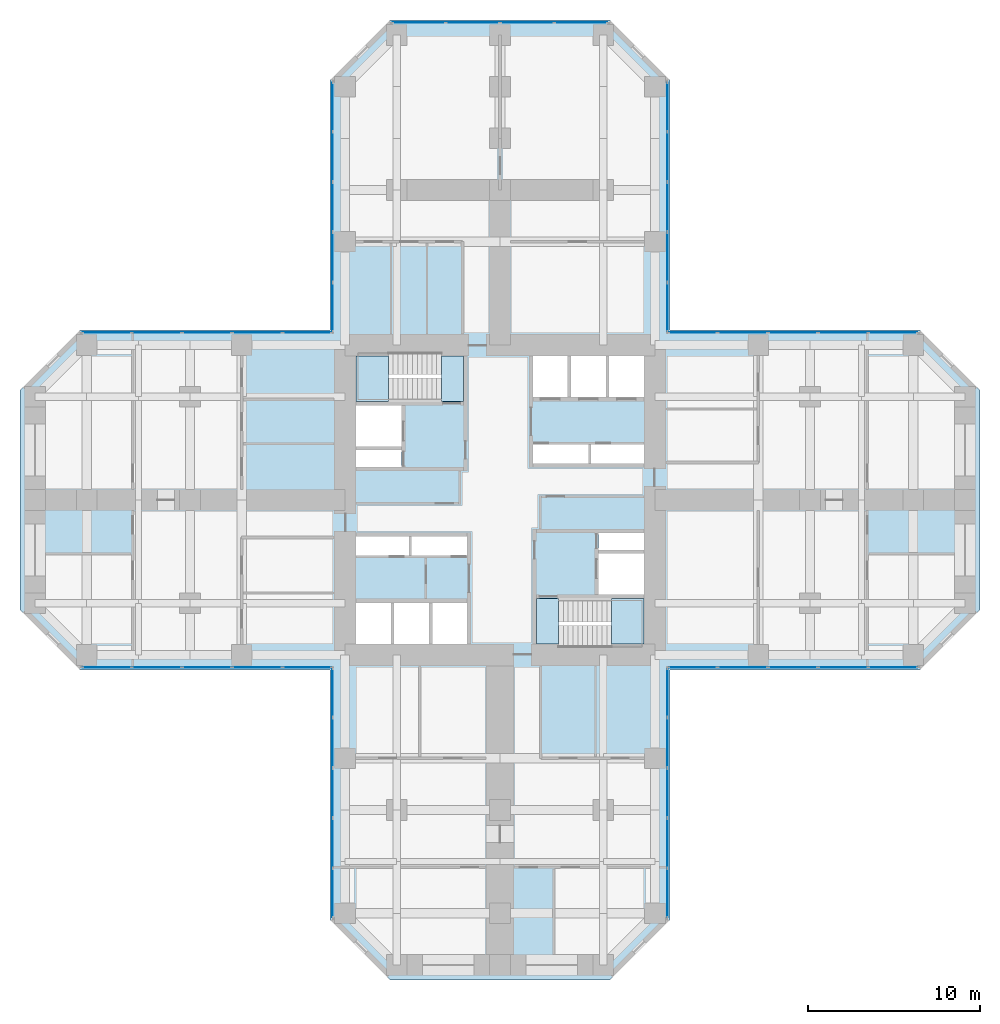
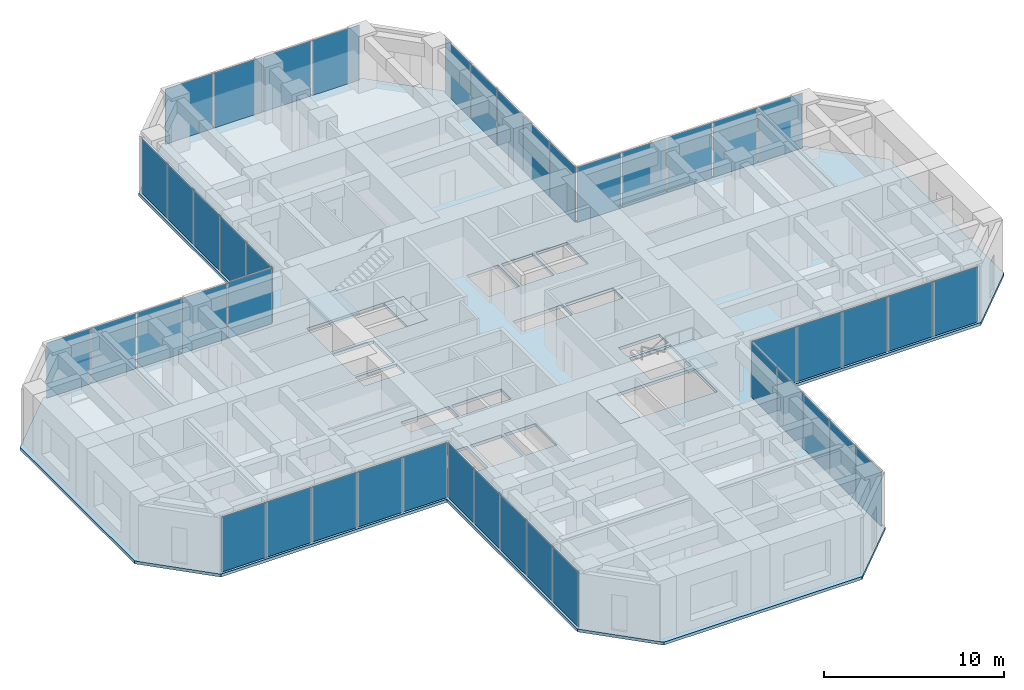
# One storey, part 7 of 13: 44 plates, 5 slabs, 11 elements without a shape of their own.
"""IFC4 building model written with IfcOpenShell, lengths in metres."""

import ifcopenshell
import ifcopenshell.guid

model = None  # the IFC model being written
_history = None  # IfcOwnerHistory: only IFC2X3 demands one
_inside = {}  # id of a spatial element -> (the spatial element, [elements in it])
_under = {}  # id of a project, library or spatial element -> (it, [spatial elements below it])
_declared = {}  # id of a project -> (the project, [libraries it declares])
_typed = {}  # id of a type object -> (the type object, [elements of that type])
_made_of = {}  # id of a material, layer set ... -> (it, [elements and type objects made of it])


def new_model(schema):
    """Start an empty IFC model of exactly this schema.

    Asked for "IFC4X3", IfcOpenShell would pick the latest addendum, in which some entities
    have other attributes; the version numbers below select the first issue.
    IFC2X3 requires an IfcOwnerHistory on every rooted entity: one is made here for all.
    """
    global model, _history
    if schema == "IFC4X3":
        model = ifcopenshell.file(schema_version=(4, 3, 0, 0))
    else:
        model = ifcopenshell.file(schema=schema)
    _inside.clear()
    _under.clear()
    _declared.clear()
    _typed.clear()
    _made_of.clear()
    _history = None
    if model.schema == "IFC2X3":
        org = make("IfcOrganization", Name="unknown")
        user = make(
            "IfcPersonAndOrganization",
            ThePerson=make("IfcPerson", FamilyName="unknown"),
            TheOrganization=org,
        )
        app = make(
            "IfcApplication",
            ApplicationDeveloper=org,
            Version="unknown",
            ApplicationFullName="unknown",
            ApplicationIdentifier="unknown",
        )
        _history = make(
            "IfcOwnerHistory",
            OwningUser=user,
            OwningApplication=app,
            ChangeAction="ADDED",
            CreationDate=0,
        )
    return model


def make(cls, **values):
    """One entity of the class cls with the attributes given. An attribute that is None is left unset."""
    return model.create_entity(
        cls, **{name: value for name, value in values.items() if value is not None}
    )


def rooted(cls, **values):
    """An entity with a GlobalId (a new one), such as an element, a storey or a relation."""
    return make(cls, GlobalId=ifcopenshell.guid.new(), OwnerHistory=_history, **values)


def si_unit(unit_type, name, prefix=None):
    """IfcSIUnit, for example si_unit("LENGTHUNIT", "METRE", prefix="MILLI")."""
    return make("IfcSIUnit", UnitType=unit_type, Prefix=prefix, Name=name)


def assignment(units):
    """IfcUnitAssignment: the units of a project."""
    return None if units is None else make("IfcUnitAssignment", Units=units)


def point(xyz):
    """IfcCartesianPoint."""
    return None if xyz is None else make("IfcCartesianPoint", Coordinates=xyz)


def direction(xyz):
    """IfcDirection."""
    return None if xyz is None else make("IfcDirection", DirectionRatios=xyz)


def frame(location, z_axis=None, x_axis=None):
    """IfcAxis2Placement3D, a coordinate frame: its origin and axes. An axis left out is left unset."""
    return make(
        "IfcAxis2Placement3D",
        Location=point(location),
        Axis=direction(z_axis),
        RefDirection=direction(x_axis),
    )


def frame_2d(location, x_axis=None):
    """IfcAxis2Placement2D, a coordinate frame in the plane: its origin and x axis."""
    return make(
        "IfcAxis2Placement2D", Location=point(location), RefDirection=direction(x_axis)
    )


def origin():
    """The frame at (0, 0, 0) with its axes left unset."""
    return frame((0.0, 0.0, 0.0))


def origin_2d():
    """The frame at (0, 0) in the plane with its x axis left unset."""
    return frame_2d((0.0, 0.0))


def place(relative_to, where):
    """IfcLocalPlacement: puts the frame where relative to a parent placement (None: the world)."""
    return make(
        "IfcLocalPlacement", PlacementRelTo=relative_to, RelativePlacement=where
    )


def context(
    kind, dimensions, precision=None, world=None, true_north=None, identifier=None
):
    """IfcGeometricRepresentationContext, for example the 3D "Model" context."""
    return make(
        "IfcGeometricRepresentationContext",
        ContextIdentifier=identifier,
        ContextType=kind,
        CoordinateSpaceDimension=dimensions,
        Precision=precision,
        WorldCoordinateSystem=world,
        TrueNorth=true_north,
    )


def subcontext(parent, identifier, kind, view, scale=None):
    """IfcGeometricRepresentationSubContext, for example "Body" below "Model"."""
    return make(
        "IfcGeometricRepresentationSubContext",
        ContextIdentifier=identifier,
        ContextType=kind,
        ParentContext=parent,
        TargetScale=scale,
        TargetView=view,
    )


def project(units=None, contexts=None):
    """IfcProject with its units and contexts."""
    return rooted(
        "IfcProject",
        Name="project",
        RepresentationContexts=contexts,
        UnitsInContext=assignment(units),
    )


def spatial(cls, under=None, at=None, **own):
    """A site, building, storey or space (cls), placed at a placement, below another one or the project."""
    s = rooted(cls, ObjectPlacement=at, **own)
    if under is not None:
        _under.setdefault(under.id(), (under, []))[1].append(s)
    return s


def polyline(points):
    """IfcPolyline through the points."""
    return make("IfcPolyline", Points=[point(p) for p in points])


def profile(cls, at=None, kind="AREA", **sizes):
    """A parametric profile (cls). Its sizes go by their IFC names, for example OverallWidth=200.0."""
    return make(cls, ProfileType=kind, Position=at, **sizes)


def rectangle(**sizes):
    """IfcRectangleProfileDef."""
    return profile("IfcRectangleProfileDef", **sizes)


def outline(outer, holes=None, kind="AREA"):
    """IfcArbitraryClosedProfileDef: a profile drawn as a closed curve; with holes, ...WithVoids."""
    if holes is None:
        return make("IfcArbitraryClosedProfileDef", ProfileType=kind, OuterCurve=outer)
    return make(
        "IfcArbitraryProfileDefWithVoids",
        ProfileType=kind,
        OuterCurve=outer,
        InnerCurves=holes,
    )


def extrude(swept, where, along, depth):
    """IfcExtrudedAreaSolid: the profile swept, set in the frame where, extruded along a direction by depth."""
    return make(
        "IfcExtrudedAreaSolid",
        SweptArea=swept,
        Position=where,
        ExtrudedDirection=direction(along),
        Depth=depth,
    )


def shape(context_of_items, identifier, shape_type, items):
    """IfcShapeRepresentation: the items that make up one representation, for example the "Body"."""
    return make(
        "IfcShapeRepresentation",
        ContextOfItems=context_of_items,
        RepresentationIdentifier=identifier,
        RepresentationType=shape_type,
        Items=items,
    )


def material(Name=None, Category=None):
    """IfcMaterial."""
    return make("IfcMaterial", Name=Name, Category=Category)


def layer(
    of_material, thickness, ventilated=None, Name=None, Category=None, Priority=None
):
    """IfcMaterialLayer: one layer of a wall or slab, of a material (None: an air gap)."""
    return make(
        "IfcMaterialLayer",
        Material=of_material,
        LayerThickness=thickness,
        IsVentilated=ventilated,
        Name=Name,
        Category=Category,
        Priority=Priority,
    )


def layer_set(layers, Name=None):
    """IfcMaterialLayerSet."""
    return make("IfcMaterialLayerSet", MaterialLayers=layers, LayerSetName=Name)


def made_of(thing, what):
    """Note that an element or type object is made of a material, layer set ...; save() writes the relation."""
    if what is not None:
        _made_of.setdefault(what.id(), (what, []))[1].append(thing)
    return thing


def type_object(cls, material=None, **own):
    """A type object (cls), such as IfcWallType, which elements share."""
    return made_of(rooted(cls, **own), material)


def element(
    cls,
    number,
    at=None,
    inside=None,
    cuts=None,
    type_object=None,
    material=None,
    context=None,
    identifier="Body",
    shape_type=None,
    held_by="IfcProductDefinitionShape",
    body=None,
    shapes=None,
    **own,
):
    """One element of the class cls, such as IfcWall. Its Tag is "e" and its number.

    at: its placement. inside: the storey or other place that contains it. cuts: it is an
    opening in that element (IfcRelVoidsElement). A single representation is given by context,
    identifier, shape_type and body (its items); several are given by shapes. held_by: the class
    of the entity that holds the representations. save() writes the other relations.
    """
    e = rooted(cls, Tag="e%d" % number, ObjectPlacement=at, **own)
    if body is not None:
        shapes = [shape(context, identifier, shape_type, body)]
    if shapes is not None:
        e.Representation = make(held_by, Representations=shapes)
    if inside is not None:
        _inside.setdefault(inside.id(), (inside, []))[1].append(e)
    if cuts is not None:
        rooted(
            "IfcRelVoidsElement", RelatingBuildingElement=cuts, RelatedOpeningElement=e
        )
    if type_object is not None:
        _typed.setdefault(type_object.id(), (type_object, []))[1].append(e)
    return made_of(e, material)


def aggregate(whole, parts):
    """IfcRelAggregates: a whole, such as a stair, and the parts it consists of."""
    return rooted("IfcRelAggregates", RelatingObject=whole, RelatedObjects=parts)


def save(model, path):
    """Write the relations noted so far, then the file.

    IfcRelAggregates (storeys below a building ...), IfcRelContainedInSpatialStructure (elements
    in a storey), IfcRelDefinesByType, IfcRelAssociatesMaterial and IfcRelDeclares: one each for
    every whole, place, type object, material and project.
    """
    for whole, parts in _under.values():
        aggregate(whole, parts)
    for where, things in _inside.values():
        rooted(
            "IfcRelContainedInSpatialStructure",
            RelatedElements=things,
            RelatingStructure=where,
        )
    for kind, things in _typed.values():
        rooted("IfcRelDefinesByType", RelatedObjects=things, RelatingType=kind)
    for what, things in _made_of.values():
        rooted("IfcRelAssociatesMaterial", RelatedObjects=things, RelatingMaterial=what)
    for by, libraries in _declared.values():
        rooted("IfcRelDeclares", RelatingContext=by, RelatedDefinitions=libraries)
    model.write(path)


model = new_model("IFC4")

# Units and contexts
model_context = context("Model", 3, precision=1e-05, world=origin(), true_north=direction((0.0, 1.0)))
body_context = subcontext(model_context, "Body", "Model", "MODEL_VIEW")
ifc_project = project(units=[si_unit("LENGTHUNIT", "METRE"), si_unit("AREAUNIT", "SQUARE_METRE"), si_unit("VOLUMEUNIT", "CUBIC_METRE"), si_unit("PLANEANGLEUNIT", "RADIAN"), si_unit("MASSUNIT", "GRAM", prefix="KILO")], contexts=[model_context])

# Site, building, storey
site_placement = place(None, origin())
site = spatial("IfcSite", under=ifc_project, at=site_placement, CompositionType="ELEMENT")
building_placement = place(site_placement, origin())
building = spatial("IfcBuilding", under=site, at=building_placement, Name="Torre Cruceta", CompositionType="ELEMENT")
storey_placement = place(building_placement, frame((0.0, 0.0, 55.5)))
storey = spatial("IfcBuildingStorey", under=building, at=storey_placement, Name="L13", CompositionType="ELEMENT", Elevation=55.5)

# Curtain wall, plate
ifc_material_1 = material(Name="Aluminium unitised curtain wall", Category="aluminium")
curtain_wall_type = type_object("IfcCurtainWallType", Name="CURTAIN WALL CW-A OFFICE LOW RISE", PredefinedType="USERDEFINED", material=ifc_material_1)
curtain_wall_1_placement = place(storey_placement, origin())
curtain_wall_1 = element("IfcCurtainWall", 1, at=curtain_wall_1_placement, inside=storey, type_object=curtain_wall_type, Name="CW-A L13 E side 00", ObjectType="UNITISED", PredefinedType="USERDEFINED")
ifc_material_2 = material(Name="Laminated insulating glass unit, diagonal frit 50 %", Category="glass")
ifc_material_3 = material(Name="Laminated insulating glass unit, diagonal frit 50 %", Category="glass")
ifc_layer_1 = layer(ifc_material_3, 0.033935546875)
ifc_layer_set_1 = layer_set([ifc_layer_1], Name="Laminated insulating glass unit, diagonal frit 50 %")
plate_type_1 = type_object("IfcPlateType", Name="CW-A OPERABLE VENT PANEL 34", PredefinedType="CURTAIN_PANEL", material=ifc_layer_set_1)
plate_1_placement = place(storey_placement, frame((17.009033203125, -9.719970703125, 0.010009765625), z_axis=(0.0, 0.0, 1.0), x_axis=(1.0, 0.0, 0.0)))
plate_1 = element("IfcPlate", 2, at=plate_1_placement, type_object=plate_type_1, material=ifc_material_2, Name="CW-A vent 3", PredefinedType="CURTAIN_PANEL", context=body_context, shape_type="SweptSolid", body=[
    extrude(rectangle(XDim=2.8505859375, YDim=0.033935546875, at=origin_2d()), origin(), (0.0, 0.0, 1.0), 3.72509765625),
])

curtain_wall_2_placement = place(storey_placement, origin())
curtain_wall_2 = element("IfcCurtainWall", 3, at=curtain_wall_2_placement, inside=storey, type_object=curtain_wall_type, Name="CW-A L13 E side 04", ObjectType="UNITISED", PredefinedType="USERDEFINED")
plate_2_placement = place(storey_placement, frame((17.009033203125, 9.719970703125, 0.010009765625), z_axis=(0.0, 0.0, 1.0), x_axis=(-1.0, 0.0, 0.0)))
plate_2 = element("IfcPlate", 4, at=plate_2_placement, type_object=plate_type_1, material=ifc_material_2, Name="CW-A vent 3", PredefinedType="CURTAIN_PANEL", context=body_context, shape_type="SweptSolid", body=[
    extrude(rectangle(XDim=2.8505859375, YDim=0.033935546875, at=origin_2d()), origin(), (0.0, 0.0, 1.0), 3.72509765625),
])

curtain_wall_3_placement = place(storey_placement, origin())
curtain_wall_3 = element("IfcCurtainWall", 5, at=curtain_wall_3_placement, inside=storey, type_object=curtain_wall_type, Name="CW-A L13 N side 05", ObjectType="UNITISED", PredefinedType="USERDEFINED")
plate_3_placement = place(storey_placement, frame((9.719970703125, 17.009033203125, 0.010009765625), z_axis=(0.0, 0.0, 1.0), x_axis=(0.0, 1.0, 0.0)))
plate_3 = element("IfcPlate", 6, at=plate_3_placement, type_object=plate_type_1, material=ifc_material_2, Name="CW-A vent 3", PredefinedType="CURTAIN_PANEL", context=body_context, shape_type="SweptSolid", body=[
    extrude(rectangle(XDim=2.8505859375, YDim=0.033935546875, at=origin_2d()), origin(), (0.0, 0.0, 1.0), 3.72509765625),
])

curtain_wall_4_placement = place(storey_placement, origin())
curtain_wall_4 = element("IfcCurtainWall", 7, at=curtain_wall_4_placement, inside=storey, type_object=curtain_wall_type, Name="CW-A L13 N tip 07", ObjectType="UNITISED", PredefinedType="USERDEFINED")
plate_4_placement = place(storey_placement, frame((-1.574462890625, 27.719970703125, 0.010009765625), z_axis=(0.0, 0.0, 1.0), x_axis=(-1.0, 0.0, 0.0)))
plate_4 = element("IfcPlate", 8, at=plate_4_placement, type_object=plate_type_1, material=ifc_material_2, Name="CW-A vent 3", PredefinedType="CURTAIN_PANEL", context=body_context, shape_type="SweptSolid", body=[
    extrude(rectangle(XDim=3.084228515625, YDim=0.033935546875, at=origin_2d()), origin(), (0.0, 0.0, 1.0), 3.72509765625),
])

curtain_wall_5_placement = place(storey_placement, origin())
curtain_wall_5 = element("IfcCurtainWall", 9, at=curtain_wall_5_placement, inside=storey, type_object=curtain_wall_type, Name="CW-A L13 N side 09", ObjectType="UNITISED", PredefinedType="USERDEFINED")
plate_5_placement = place(storey_placement, frame((-9.719970703125, 17.009033203125, 0.010009765625), z_axis=(0.0, 0.0, 1.0), x_axis=(0.0, -1.0, 0.0)))
plate_5 = element("IfcPlate", 10, at=plate_5_placement, type_object=plate_type_1, material=ifc_material_2, Name="CW-A vent 3", PredefinedType="CURTAIN_PANEL", context=body_context, shape_type="SweptSolid", body=[
    extrude(rectangle(XDim=2.8505859375, YDim=0.033935546875, at=origin_2d()), origin(), (0.0, 0.0, 1.0), 3.72509765625),
])

curtain_wall_6_placement = place(storey_placement, origin())
curtain_wall_6 = element("IfcCurtainWall", 11, at=curtain_wall_6_placement, inside=storey, type_object=curtain_wall_type, Name="CW-A L13 W side 10", ObjectType="UNITISED", PredefinedType="USERDEFINED")
plate_6_placement = place(storey_placement, frame((-17.009033203125, 9.719970703125, 0.010009765625), z_axis=(0.0, 0.0, 1.0), x_axis=(-1.0, 0.0, 0.0)))
plate_6 = element("IfcPlate", 12, at=plate_6_placement, type_object=plate_type_1, material=ifc_material_2, Name="CW-A vent 3", PredefinedType="CURTAIN_PANEL", context=body_context, shape_type="SweptSolid", body=[
    extrude(rectangle(XDim=2.8505859375, YDim=0.033935546875, at=origin_2d()), origin(), (0.0, 0.0, 1.0), 3.72509765625),
])

curtain_wall_7_placement = place(storey_placement, origin())
curtain_wall_7 = element("IfcCurtainWall", 13, at=curtain_wall_7_placement, inside=storey, type_object=curtain_wall_type, Name="CW-A L13 W side 14", ObjectType="UNITISED", PredefinedType="USERDEFINED")
plate_7_placement = place(storey_placement, frame((-17.009033203125, -9.719970703125, 0.010009765625), z_axis=(0.0, 0.0, 1.0), x_axis=(1.0, 0.0, 0.0)))
plate_7 = element("IfcPlate", 14, at=plate_7_placement, type_object=plate_type_1, material=ifc_material_2, Name="CW-A vent 3", PredefinedType="CURTAIN_PANEL", context=body_context, shape_type="SweptSolid", body=[
    extrude(rectangle(XDim=2.8505859375, YDim=0.033935546875, at=origin_2d()), origin(), (0.0, 0.0, 1.0), 3.72509765625),
])

curtain_wall_8_placement = place(storey_placement, origin())
curtain_wall_8 = element("IfcCurtainWall", 15, at=curtain_wall_8_placement, inside=storey, type_object=curtain_wall_type, Name="CW-A L13 S side 15", ObjectType="UNITISED", PredefinedType="USERDEFINED")
plate_8_placement = place(storey_placement, frame((-9.719970703125, -17.009033203125, 0.010009765625), z_axis=(0.0, 0.0, 1.0), x_axis=(0.0, -1.0, 0.0)))
plate_8 = element("IfcPlate", 16, at=plate_8_placement, type_object=plate_type_1, material=ifc_material_2, Name="CW-A vent 3", PredefinedType="CURTAIN_PANEL", context=body_context, shape_type="SweptSolid", body=[
    extrude(rectangle(XDim=2.8505859375, YDim=0.033935546875, at=origin_2d()), origin(), (0.0, 0.0, 1.0), 3.72509765625),
])

curtain_wall_9_placement = place(storey_placement, origin())
curtain_wall_9 = element("IfcCurtainWall", 17, at=curtain_wall_9_placement, inside=storey, type_object=curtain_wall_type, Name="CW-A L13 S side 19", ObjectType="UNITISED", PredefinedType="USERDEFINED")
plate_9_placement = place(storey_placement, frame((9.719970703125, -17.009033203125, 0.010009765625), z_axis=(0.0, 0.0, 1.0), x_axis=(0.0, 1.0, 0.0)))
plate_9 = element("IfcPlate", 18, at=plate_9_placement, type_object=plate_type_1, material=ifc_material_2, Name="CW-A vent 3", PredefinedType="CURTAIN_PANEL", context=body_context, shape_type="SweptSolid", body=[
    extrude(rectangle(XDim=2.8505859375, YDim=0.033935546875, at=origin_2d()), origin(), (0.0, 0.0, 1.0), 3.72509765625),
])

# Plate
ifc_material_4 = material(Name="Laminated insulating glass unit, low-iron clear", Category="glass")
ifc_material_5 = material(Name="Laminated insulating glass unit, diagonal frit 50 %", Category="glass")
ifc_layer_2 = layer(ifc_material_5, 0.033935546875)
ifc_layer_set_2 = layer_set([ifc_layer_2], Name="Laminated insulating glass unit, diagonal frit 50 %")
plate_type_2 = type_object("IfcPlateType", Name="CW-A PANEL 34", PredefinedType="CURTAIN_PANEL", material=ifc_layer_set_2)
plate_10_placement = place(storey_placement, frame((11.194091796875, -9.719970703125, 0.010009765625), z_axis=(0.0, 0.0, 1.0), x_axis=(1.0, 0.0, 0.0)))
plate_10 = element("IfcPlate", 19, at=plate_10_placement, type_object=plate_type_2, material=ifc_material_4, Name="CW-A panel 1", PredefinedType="CURTAIN_PANEL", context=body_context, shape_type="SweptSolid", body=[
    extrude(rectangle(XDim=2.818115234375, YDim=0.033935546875, at=origin_2d()), origin(), (0.0, 0.0, 1.0), 3.72509765625),
])

plate_11_placement = place(storey_placement, frame((14.093505859375, -9.719970703125, 0.010009765625), z_axis=(0.0, 0.0, 1.0), x_axis=(1.0, 0.0, 0.0)))
plate_11 = element("IfcPlate", 20, at=plate_11_placement, type_object=plate_type_2, material=ifc_material_2, Name="CW-A panel 2", PredefinedType="CURTAIN_PANEL", context=body_context, shape_type="SweptSolid", body=[
    extrude(rectangle(XDim=2.8505859375, YDim=0.033935546875, at=origin_2d()), origin(), (0.0, 0.0, 1.0), 3.72509765625),
])

plate_12_placement = place(storey_placement, frame((19.9248046875, -9.719970703125, 0.010009765625), z_axis=(0.0, 0.0, 1.0), x_axis=(1.0, 0.0, 0.0)))
plate_12 = element("IfcPlate", 21, at=plate_12_placement, type_object=plate_type_2, material=ifc_material_2, Name="CW-A panel 4", PredefinedType="CURTAIN_PANEL", context=body_context, shape_type="SweptSolid", body=[
    extrude(rectangle(XDim=2.8505859375, YDim=0.033935546875, at=origin_2d()), origin(), (0.0, 0.0, 1.0), 3.72509765625),
])

plate_13_placement = place(storey_placement, frame((22.82421875, -9.719970703125, 0.010009765625), z_axis=(0.0, 0.0, 1.0), x_axis=(1.0, 0.0, 0.0)))
plate_13 = element("IfcPlate", 22, at=plate_13_placement, type_object=plate_type_2, material=ifc_material_2, Name="CW-A panel 5", PredefinedType="CURTAIN_PANEL", context=body_context, shape_type="SweptSolid", body=[
    extrude(rectangle(XDim=2.818115234375, YDim=0.033935546875, at=origin_2d()), origin(), (0.0, 0.0, 1.0), 3.72509765625),
])

aggregate(curtain_wall_1, [plate_10, plate_11, plate_1, plate_12, plate_13])

plate_14_placement = place(storey_placement, frame((22.82421875, 9.719970703125, 0.010009765625), z_axis=(0.0, 0.0, 1.0), x_axis=(-1.0, 0.0, 0.0)))
plate_14 = element("IfcPlate", 23, at=plate_14_placement, type_object=plate_type_2, material=ifc_material_4, Name="CW-A panel 1", PredefinedType="CURTAIN_PANEL", context=body_context, shape_type="SweptSolid", body=[
    extrude(rectangle(XDim=2.818115234375, YDim=0.033935546875, at=origin_2d()), origin(), (0.0, 0.0, 1.0), 3.72509765625),
])

plate_15_placement = place(storey_placement, frame((19.9248046875, 9.719970703125, 0.010009765625), z_axis=(0.0, 0.0, 1.0), x_axis=(-1.0, 0.0, 0.0)))
plate_15 = element("IfcPlate", 24, at=plate_15_placement, type_object=plate_type_2, material=ifc_material_2, Name="CW-A panel 2", PredefinedType="CURTAIN_PANEL", context=body_context, shape_type="SweptSolid", body=[
    extrude(rectangle(XDim=2.8505859375, YDim=0.033935546875, at=origin_2d()), origin(), (0.0, 0.0, 1.0), 3.72509765625),
])

plate_16_placement = place(storey_placement, frame((14.093505859375, 9.719970703125, 0.010009765625), z_axis=(0.0, 0.0, 1.0), x_axis=(-1.0, 0.0, 0.0)))
plate_16 = element("IfcPlate", 25, at=plate_16_placement, type_object=plate_type_2, material=ifc_material_2, Name="CW-A panel 4", PredefinedType="CURTAIN_PANEL", context=body_context, shape_type="SweptSolid", body=[
    extrude(rectangle(XDim=2.8505859375, YDim=0.033935546875, at=origin_2d()), origin(), (0.0, 0.0, 1.0), 3.72509765625),
])

plate_17_placement = place(storey_placement, frame((11.194091796875, 9.719970703125, 0.010009765625), z_axis=(0.0, 0.0, 1.0), x_axis=(-1.0, 0.0, 0.0)))
plate_17 = element("IfcPlate", 26, at=plate_17_placement, type_object=plate_type_2, material=ifc_material_2, Name="CW-A panel 5", PredefinedType="CURTAIN_PANEL", context=body_context, shape_type="SweptSolid", body=[
    extrude(rectangle(XDim=2.818115234375, YDim=0.033935546875, at=origin_2d()), origin(), (0.0, 0.0, 1.0), 3.72509765625),
])

aggregate(curtain_wall_2, [plate_14, plate_15, plate_2, plate_16, plate_17])

plate_18_placement = place(storey_placement, frame((9.719970703125, 11.194091796875, 0.010009765625), z_axis=(0.0, 0.0, 1.0), x_axis=(0.0, 1.0, 0.0)))
plate_18 = element("IfcPlate", 27, at=plate_18_placement, type_object=plate_type_2, material=ifc_material_4, Name="CW-A panel 1", PredefinedType="CURTAIN_PANEL", context=body_context, shape_type="SweptSolid", body=[
    extrude(rectangle(XDim=2.818115234375, YDim=0.033935546875, at=origin_2d()), origin(), (0.0, 0.0, 1.0), 3.72509765625),
])

plate_19_placement = place(storey_placement, frame((9.719970703125, 14.093505859375, 0.010009765625), z_axis=(0.0, 0.0, 1.0), x_axis=(0.0, 1.0, 0.0)))
plate_19 = element("IfcPlate", 28, at=plate_19_placement, type_object=plate_type_2, material=ifc_material_2, Name="CW-A panel 2", PredefinedType="CURTAIN_PANEL", context=body_context, shape_type="SweptSolid", body=[
    extrude(rectangle(XDim=2.8505859375, YDim=0.033935546875, at=origin_2d()), origin(), (0.0, 0.0, 1.0), 3.72509765625),
])

plate_20_placement = place(storey_placement, frame((9.719970703125, 19.9248046875, 0.010009765625), z_axis=(0.0, 0.0, 1.0), x_axis=(0.0, 1.0, 0.0)))
plate_20 = element("IfcPlate", 29, at=plate_20_placement, type_object=plate_type_2, material=ifc_material_2, Name="CW-A panel 4", PredefinedType="CURTAIN_PANEL", context=body_context, shape_type="SweptSolid", body=[
    extrude(rectangle(XDim=2.8505859375, YDim=0.033935546875, at=origin_2d()), origin(), (0.0, 0.0, 1.0), 3.72509765625),
])

plate_21_placement = place(storey_placement, frame((9.719970703125, 22.82421875, 0.010009765625), z_axis=(0.0, 0.0, 1.0), x_axis=(0.0, 1.0, 0.0)))
plate_21 = element("IfcPlate", 30, at=plate_21_placement, type_object=plate_type_2, material=ifc_material_2, Name="CW-A panel 5", PredefinedType="CURTAIN_PANEL", context=body_context, shape_type="SweptSolid", body=[
    extrude(rectangle(XDim=2.818115234375, YDim=0.033935546875, at=origin_2d()), origin(), (0.0, 0.0, 1.0), 3.72509765625),
])

aggregate(curtain_wall_3, [plate_18, plate_19, plate_3, plate_20, plate_21])

plate_22_placement = place(storey_placement, frame((4.70751953125, 27.719970703125, 0.010009765625), z_axis=(0.0, 0.0, 1.0), x_axis=(-1.0, 0.0, 0.0)))
plate_22 = element("IfcPlate", 31, at=plate_22_placement, type_object=plate_type_2, material=ifc_material_4, Name="CW-A panel 1", PredefinedType="CURTAIN_PANEL", context=body_context, shape_type="SweptSolid", body=[
    extrude(rectangle(XDim=3.051513671875, YDim=0.033935546875, at=origin_2d()), origin(), (0.0, 0.0, 1.0), 3.72509765625),
])

plate_23_placement = place(storey_placement, frame((1.574462890625, 27.719970703125, 0.010009765625), z_axis=(0.0, 0.0, 1.0), x_axis=(-1.0, 0.0, 0.0)))
plate_23 = element("IfcPlate", 32, at=plate_23_placement, type_object=plate_type_2, material=ifc_material_2, Name="CW-A panel 2", PredefinedType="CURTAIN_PANEL", context=body_context, shape_type="SweptSolid", body=[
    extrude(rectangle(XDim=3.084228515625, YDim=0.033935546875, at=origin_2d()), origin(), (0.0, 0.0, 1.0), 3.72509765625),
])

plate_24_placement = place(storey_placement, frame((-4.70751953125, 27.719970703125, 0.010009765625), z_axis=(0.0, 0.0, 1.0), x_axis=(-1.0, 0.0, 0.0)))
plate_24 = element("IfcPlate", 33, at=plate_24_placement, type_object=plate_type_2, material=ifc_material_2, Name="CW-A panel 4", PredefinedType="CURTAIN_PANEL", context=body_context, shape_type="SweptSolid", body=[
    extrude(rectangle(XDim=3.051513671875, YDim=0.033935546875, at=origin_2d()), origin(), (0.0, 0.0, 1.0), 3.72509765625),
])

aggregate(curtain_wall_4, [plate_22, plate_23, plate_4, plate_24])

plate_25_placement = place(storey_placement, frame((-9.719970703125, 22.82421875, 0.010009765625), z_axis=(0.0, 0.0, 1.0), x_axis=(0.0, -1.0, 0.0)))
plate_25 = element("IfcPlate", 34, at=plate_25_placement, type_object=plate_type_2, material=ifc_material_4, Name="CW-A panel 1", PredefinedType="CURTAIN_PANEL", context=body_context, shape_type="SweptSolid", body=[
    extrude(rectangle(XDim=2.818115234375, YDim=0.033935546875, at=origin_2d()), origin(), (0.0, 0.0, 1.0), 3.72509765625),
])

plate_26_placement = place(storey_placement, frame((-9.719970703125, 19.9248046875, 0.010009765625), z_axis=(0.0, 0.0, 1.0), x_axis=(0.0, -1.0, 0.0)))
plate_26 = element("IfcPlate", 35, at=plate_26_placement, type_object=plate_type_2, material=ifc_material_2, Name="CW-A panel 2", PredefinedType="CURTAIN_PANEL", context=body_context, shape_type="SweptSolid", body=[
    extrude(rectangle(XDim=2.8505859375, YDim=0.033935546875, at=origin_2d()), origin(), (0.0, 0.0, 1.0), 3.72509765625),
])

plate_27_placement = place(storey_placement, frame((-9.719970703125, 14.093505859375, 0.010009765625), z_axis=(0.0, 0.0, 1.0), x_axis=(0.0, -1.0, 0.0)))
plate_27 = element("IfcPlate", 36, at=plate_27_placement, type_object=plate_type_2, material=ifc_material_2, Name="CW-A panel 4", PredefinedType="CURTAIN_PANEL", context=body_context, shape_type="SweptSolid", body=[
    extrude(rectangle(XDim=2.8505859375, YDim=0.033935546875, at=origin_2d()), origin(), (0.0, 0.0, 1.0), 3.72509765625),
])

plate_28_placement = place(storey_placement, frame((-9.719970703125, 11.194091796875, 0.010009765625), z_axis=(0.0, 0.0, 1.0), x_axis=(0.0, -1.0, 0.0)))
plate_28 = element("IfcPlate", 37, at=plate_28_placement, type_object=plate_type_2, material=ifc_material_2, Name="CW-A panel 5", PredefinedType="CURTAIN_PANEL", context=body_context, shape_type="SweptSolid", body=[
    extrude(rectangle(XDim=2.818115234375, YDim=0.033935546875, at=origin_2d()), origin(), (0.0, 0.0, 1.0), 3.72509765625),
])

aggregate(curtain_wall_5, [plate_25, plate_26, plate_5, plate_27, plate_28])

plate_29_placement = place(storey_placement, frame((-11.194091796875, 9.719970703125, 0.010009765625), z_axis=(0.0, 0.0, 1.0), x_axis=(-1.0, 0.0, 0.0)))
plate_29 = element("IfcPlate", 38, at=plate_29_placement, type_object=plate_type_2, material=ifc_material_4, Name="CW-A panel 1", PredefinedType="CURTAIN_PANEL", context=body_context, shape_type="SweptSolid", body=[
    extrude(rectangle(XDim=2.818115234375, YDim=0.033935546875, at=origin_2d()), origin(), (0.0, 0.0, 1.0), 3.72509765625),
])

plate_30_placement = place(storey_placement, frame((-14.093505859375, 9.719970703125, 0.010009765625), z_axis=(0.0, 0.0, 1.0), x_axis=(-1.0, 0.0, 0.0)))
plate_30 = element("IfcPlate", 39, at=plate_30_placement, type_object=plate_type_2, material=ifc_material_2, Name="CW-A panel 2", PredefinedType="CURTAIN_PANEL", context=body_context, shape_type="SweptSolid", body=[
    extrude(rectangle(XDim=2.8505859375, YDim=0.033935546875, at=origin_2d()), origin(), (0.0, 0.0, 1.0), 3.72509765625),
])

plate_31_placement = place(storey_placement, frame((-19.9248046875, 9.719970703125, 0.010009765625), z_axis=(0.0, 0.0, 1.0), x_axis=(-1.0, 0.0, 0.0)))
plate_31 = element("IfcPlate", 40, at=plate_31_placement, type_object=plate_type_2, material=ifc_material_2, Name="CW-A panel 4", PredefinedType="CURTAIN_PANEL", context=body_context, shape_type="SweptSolid", body=[
    extrude(rectangle(XDim=2.8505859375, YDim=0.033935546875, at=origin_2d()), origin(), (0.0, 0.0, 1.0), 3.72509765625),
])

plate_32_placement = place(storey_placement, frame((-22.82421875, 9.719970703125, 0.010009765625), z_axis=(0.0, 0.0, 1.0), x_axis=(-1.0, 0.0, 0.0)))
plate_32 = element("IfcPlate", 41, at=plate_32_placement, type_object=plate_type_2, material=ifc_material_2, Name="CW-A panel 5", PredefinedType="CURTAIN_PANEL", context=body_context, shape_type="SweptSolid", body=[
    extrude(rectangle(XDim=2.818115234375, YDim=0.033935546875, at=origin_2d()), origin(), (0.0, 0.0, 1.0), 3.72509765625),
])

aggregate(curtain_wall_6, [plate_29, plate_30, plate_6, plate_31, plate_32])

plate_33_placement = place(storey_placement, frame((-22.82421875, -9.719970703125, 0.010009765625), z_axis=(0.0, 0.0, 1.0), x_axis=(1.0, 0.0, 0.0)))
plate_33 = element("IfcPlate", 42, at=plate_33_placement, type_object=plate_type_2, material=ifc_material_4, Name="CW-A panel 1", PredefinedType="CURTAIN_PANEL", context=body_context, shape_type="SweptSolid", body=[
    extrude(rectangle(XDim=2.818115234375, YDim=0.033935546875, at=origin_2d()), origin(), (0.0, 0.0, 1.0), 3.72509765625),
])

plate_34_placement = place(storey_placement, frame((-19.9248046875, -9.719970703125, 0.010009765625), z_axis=(0.0, 0.0, 1.0), x_axis=(1.0, 0.0, 0.0)))
plate_34 = element("IfcPlate", 43, at=plate_34_placement, type_object=plate_type_2, material=ifc_material_2, Name="CW-A panel 2", PredefinedType="CURTAIN_PANEL", context=body_context, shape_type="SweptSolid", body=[
    extrude(rectangle(XDim=2.8505859375, YDim=0.033935546875, at=origin_2d()), origin(), (0.0, 0.0, 1.0), 3.72509765625),
])

plate_35_placement = place(storey_placement, frame((-14.093505859375, -9.719970703125, 0.010009765625), z_axis=(0.0, 0.0, 1.0), x_axis=(1.0, 0.0, 0.0)))
plate_35 = element("IfcPlate", 44, at=plate_35_placement, type_object=plate_type_2, material=ifc_material_2, Name="CW-A panel 4", PredefinedType="CURTAIN_PANEL", context=body_context, shape_type="SweptSolid", body=[
    extrude(rectangle(XDim=2.8505859375, YDim=0.033935546875, at=origin_2d()), origin(), (0.0, 0.0, 1.0), 3.72509765625),
])

plate_36_placement = place(storey_placement, frame((-11.194091796875, -9.719970703125, 0.010009765625), z_axis=(0.0, 0.0, 1.0), x_axis=(1.0, 0.0, 0.0)))
plate_36 = element("IfcPlate", 45, at=plate_36_placement, type_object=plate_type_2, material=ifc_material_2, Name="CW-A panel 5", PredefinedType="CURTAIN_PANEL", context=body_context, shape_type="SweptSolid", body=[
    extrude(rectangle(XDim=2.818115234375, YDim=0.033935546875, at=origin_2d()), origin(), (0.0, 0.0, 1.0), 3.72509765625),
])

aggregate(curtain_wall_7, [plate_33, plate_34, plate_7, plate_35, plate_36])

plate_37_placement = place(storey_placement, frame((-9.719970703125, -11.194091796875, 0.010009765625), z_axis=(0.0, 0.0, 1.0), x_axis=(0.0, -1.0, 0.0)))
plate_37 = element("IfcPlate", 46, at=plate_37_placement, type_object=plate_type_2, material=ifc_material_4, Name="CW-A panel 1", PredefinedType="CURTAIN_PANEL", context=body_context, shape_type="SweptSolid", body=[
    extrude(rectangle(XDim=2.818115234375, YDim=0.033935546875, at=origin_2d()), origin(), (0.0, 0.0, 1.0), 3.72509765625),
])

plate_38_placement = place(storey_placement, frame((-9.719970703125, -14.093505859375, 0.010009765625), z_axis=(0.0, 0.0, 1.0), x_axis=(0.0, -1.0, 0.0)))
plate_38 = element("IfcPlate", 47, at=plate_38_placement, type_object=plate_type_2, material=ifc_material_2, Name="CW-A panel 2", PredefinedType="CURTAIN_PANEL", context=body_context, shape_type="SweptSolid", body=[
    extrude(rectangle(XDim=2.8505859375, YDim=0.033935546875, at=origin_2d()), origin(), (0.0, 0.0, 1.0), 3.72509765625),
])

plate_39_placement = place(storey_placement, frame((-9.719970703125, -19.9248046875, 0.010009765625), z_axis=(0.0, 0.0, 1.0), x_axis=(0.0, -1.0, 0.0)))
plate_39 = element("IfcPlate", 48, at=plate_39_placement, type_object=plate_type_2, material=ifc_material_2, Name="CW-A panel 4", PredefinedType="CURTAIN_PANEL", context=body_context, shape_type="SweptSolid", body=[
    extrude(rectangle(XDim=2.8505859375, YDim=0.033935546875, at=origin_2d()), origin(), (0.0, 0.0, 1.0), 3.72509765625),
])

plate_40_placement = place(storey_placement, frame((-9.719970703125, -22.82421875, 0.010009765625), z_axis=(0.0, 0.0, 1.0), x_axis=(0.0, -1.0, 0.0)))
plate_40 = element("IfcPlate", 49, at=plate_40_placement, type_object=plate_type_2, material=ifc_material_2, Name="CW-A panel 5", PredefinedType="CURTAIN_PANEL", context=body_context, shape_type="SweptSolid", body=[
    extrude(rectangle(XDim=2.818115234375, YDim=0.033935546875, at=origin_2d()), origin(), (0.0, 0.0, 1.0), 3.72509765625),
])

aggregate(curtain_wall_8, [plate_37, plate_38, plate_8, plate_39, plate_40])

plate_41_placement = place(storey_placement, frame((9.719970703125, -22.82421875, 0.010009765625), z_axis=(0.0, 0.0, 1.0), x_axis=(0.0, 1.0, 0.0)))
plate_41 = element("IfcPlate", 50, at=plate_41_placement, type_object=plate_type_2, material=ifc_material_4, Name="CW-A panel 1", PredefinedType="CURTAIN_PANEL", context=body_context, shape_type="SweptSolid", body=[
    extrude(rectangle(XDim=2.818115234375, YDim=0.033935546875, at=origin_2d()), origin(), (0.0, 0.0, 1.0), 3.72509765625),
])

plate_42_placement = place(storey_placement, frame((9.719970703125, -19.9248046875, 0.010009765625), z_axis=(0.0, 0.0, 1.0), x_axis=(0.0, 1.0, 0.0)))
plate_42 = element("IfcPlate", 51, at=plate_42_placement, type_object=plate_type_2, material=ifc_material_2, Name="CW-A panel 2", PredefinedType="CURTAIN_PANEL", context=body_context, shape_type="SweptSolid", body=[
    extrude(rectangle(XDim=2.8505859375, YDim=0.033935546875, at=origin_2d()), origin(), (0.0, 0.0, 1.0), 3.72509765625),
])

plate_43_placement = place(storey_placement, frame((9.719970703125, -14.093505859375, 0.010009765625), z_axis=(0.0, 0.0, 1.0), x_axis=(0.0, 1.0, 0.0)))
plate_43 = element("IfcPlate", 52, at=plate_43_placement, type_object=plate_type_2, material=ifc_material_2, Name="CW-A panel 4", PredefinedType="CURTAIN_PANEL", context=body_context, shape_type="SweptSolid", body=[
    extrude(rectangle(XDim=2.8505859375, YDim=0.033935546875, at=origin_2d()), origin(), (0.0, 0.0, 1.0), 3.72509765625),
])

plate_44_placement = place(storey_placement, frame((9.719970703125, -11.194091796875, 0.010009765625), z_axis=(0.0, 0.0, 1.0), x_axis=(0.0, 1.0, 0.0)))
plate_44 = element("IfcPlate", 53, at=plate_44_placement, type_object=plate_type_2, material=ifc_material_2, Name="CW-A panel 5", PredefinedType="CURTAIN_PANEL", context=body_context, shape_type="SweptSolid", body=[
    extrude(rectangle(XDim=2.818115234375, YDim=0.033935546875, at=origin_2d()), origin(), (0.0, 0.0, 1.0), 3.72509765625),
])

aggregate(curtain_wall_9, [plate_41, plate_42, plate_9, plate_43, plate_44])

# Slab
ifc_material_6 = material(Name="Concrete G35 (fck 35 MPa)", Category="concrete")
ifc_layer_3 = layer(ifc_material_6, 0.199951171875)
ifc_layer_set_3 = layer_set([ifc_layer_3], Name="Concrete G35 (fck 35 MPa)")
slab_type_1 = type_object("IfcSlabType", Name="FLOOR SLAB 200", PredefinedType="FLOOR", material=ifc_layer_set_3)
slab_1_placement = place(storey_placement, frame((0.0, 0.0, -0.199951171875)))
element("IfcSlab", 54, at=slab_1_placement, inside=storey, type_object=slab_type_1, Name="Floor Slab L13", PredefinedType="FLOOR", context=body_context, shape_type="SweptSolid", body=[
    extrude(outline(polyline([(9.8701171875, -9.8701171875), (9.8701171875, -24.3603515625), (6.3603515625, -27.8701171875), (-6.3603515625, -27.8701171875), (-9.8701171875, -24.3603515625), (-9.8701171875, -9.8701171875), (-24.3603515625, -9.8701171875), (-27.8701171875, -6.3603515625), (-27.8701171875, 6.3603515625), (-24.3603515625, 9.8701171875), (-9.8701171875, 9.8701171875), (-9.8701171875, 24.3603515625), (-6.3603515625, 27.8701171875), (6.3603515625, 27.8701171875), (9.8701171875, 24.3603515625), (9.8701171875, 9.8701171875), (24.3603515625, 9.8701171875), (27.8701171875, 6.3603515625), (27.8701171875, -6.3603515625), (24.3603515625, -9.8701171875), (9.8701171875, -9.8701171875)]), holes=[polyline([(1.925048828125, 5.97509765625), (3.933349609375, 5.97509765625), (3.933349609375, 8.35009765625), (1.925048828125, 8.35009765625), (1.925048828125, 5.97509765625)]), polyline([(4.13330078125, 5.97509765625), (6.1416015625, 5.97509765625), (6.1416015625, 8.35009765625), (4.13330078125, 8.35009765625), (4.13330078125, 5.97509765625)]), polyline([(6.341552734375, 5.97509765625), (8.35009765625, 5.97509765625), (8.35009765625, 8.35009765625), (6.341552734375, 8.35009765625), (6.341552734375, 5.97509765625)]), polyline([(1.925048828125, 2.125), (5.125, 2.125), (5.125, 3.22509765625), (1.925048828125, 3.22509765625), (1.925048828125, 2.125)]), polyline([(5.27490234375, 2.125), (8.35009765625, 2.125), (8.35009765625, 3.22509765625), (5.27490234375, 3.22509765625), (5.27490234375, 2.125)]), polyline([(-8.35009765625, 3.10009765625), (-5.72509765625, 3.10009765625), (-5.72509765625, 5.47509765625), (-8.35009765625, 5.47509765625), (-8.35009765625, 3.10009765625)]), polyline([(-8.35009765625, 1.925048828125), (-5.72509765625, 1.925048828125), (-5.72509765625, 2.89990234375), (-8.35009765625, 2.89990234375), (-8.35009765625, 1.925048828125)]), polyline([(-3.933349609375, -8.35009765625), (-1.925048828125, -8.35009765625), (-1.925048828125, -5.97509765625), (-3.933349609375, -5.97509765625), (-3.933349609375, -8.35009765625)]), polyline([(-6.1416015625, -8.35009765625), (-4.13330078125, -8.35009765625), (-4.13330078125, -5.97509765625), (-6.1416015625, -5.97509765625), (-6.1416015625, -8.35009765625)]), polyline([(-8.35009765625, -8.35009765625), (-6.341552734375, -8.35009765625), (-6.341552734375, -5.97509765625), (-8.35009765625, -5.97509765625), (-8.35009765625, -8.35009765625)]), polyline([(-5.125, -3.22509765625), (-1.925048828125, -3.22509765625), (-1.925048828125, -2.125), (-5.125, -2.125), (-5.125, -3.22509765625)]), polyline([(-8.35009765625, -3.22509765625), (-5.27490234375, -3.22509765625), (-5.27490234375, -2.125), (-8.35009765625, -2.125), (-8.35009765625, -3.22509765625)]), polyline([(5.72509765625, -5.47509765625), (8.35009765625, -5.47509765625), (8.35009765625, -3.10009765625), (5.72509765625, -3.10009765625), (5.72509765625, -5.47509765625)]), polyline([(5.72509765625, -2.89990234375), (8.35009765625, -2.89990234375), (8.35009765625, -1.925048828125), (5.72509765625, -1.925048828125), (5.72509765625, -2.89990234375)]), polyline([(-8.35009765625, 5.72509765625), (-8.35009765625, 8.35009765625), (-3.39990234375, 8.35009765625), (-2.125, 8.35009765625), (-2.125, 5.72509765625), (-3.39990234375, 5.72509765625), (-8.35009765625, 5.72509765625)]), polyline([(2.125, -5.72509765625), (3.39990234375, -5.72509765625), (8.35009765625, -5.72509765625), (8.35009765625, -8.35009765625), (3.39990234375, -8.35009765625), (2.125, -8.35009765625), (2.125, -5.72509765625)])]), origin(), (0.0, 0.0, 1.0), 0.199951171875),
])

# Stair, slab
ifc_material_7 = material(Name="Concrete G30 (fck 30 MPa)", Category="concrete")
stair_type = type_object("IfcStairType", Name="STAIR HALF-TURN 1300", PredefinedType="HALF_TURN_STAIR", material=ifc_material_7)
stair_1_placement = place(storey_placement, origin())
stair_1 = element("IfcStair", 55, at=stair_1_placement, inside=storey, type_object=stair_type, Name="Stair ST1 L13", PredefinedType="HALF_TURN_STAIR")
ifc_material_8 = material(Name="Concrete G30 (fck 30 MPa)", Category="concrete")
ifc_layer_4 = layer(ifc_material_8, 0.199951171875)
ifc_layer_set_4 = layer_set([ifc_layer_4], Name="Concrete G30 (fck 30 MPa)")
slab_type_2 = type_object("IfcSlabType", Name="STAIR LANDING 200", PredefinedType="LANDING", material=ifc_layer_set_4)
slab_2_placement = place(storey_placement, frame((0.0, 0.0, 1.800048828125)))
slab_2 = element("IfcSlab", 56, at=slab_2_placement, type_object=slab_type_2, Name="ST1 landing 1", PredefinedType="LANDING", context=body_context, shape_type="SweptSolid", body=[
    extrude(outline(polyline([(-8.35009765625, 5.72509765625), (-6.47998046875, 5.72509765625), (-6.47998046875, 8.35009765625), (-8.35009765625, 8.35009765625), (-8.35009765625, 5.72509765625)])), origin(), (0.0, 0.0, 1.0), 0.199951171875),
])
aggregate(stair_1, [slab_2])

stair_2_placement = place(storey_placement, origin())
stair_2 = element("IfcStair", 57, at=stair_2_placement, inside=storey, type_object=stair_type, Name="Stair ST2 L13", PredefinedType="HALF_TURN_STAIR")
slab_3_placement = place(storey_placement, frame((0.0, 0.0, 1.800048828125)))
slab_3 = element("IfcSlab", 58, at=slab_3_placement, type_object=slab_type_2, Name="ST2 landing 1", PredefinedType="LANDING", context=body_context, shape_type="SweptSolid", body=[
    extrude(outline(polyline([(6.47998046875, -8.35009765625), (8.35009765625, -8.35009765625), (8.35009765625, -5.72509765625), (6.47998046875, -5.72509765625), (6.47998046875, -8.35009765625)])), origin(), (0.0, 0.0, 1.0), 0.199951171875),
])
aggregate(stair_2, [slab_3])

# Slabs
slab_4_placement = place(storey_placement, frame((0.0, 0.0, -0.199951171875)))
element("IfcSlab", 59, at=slab_4_placement, inside=storey, type_object=slab_type_2, Name="Stair ST1 floor landing L13", PredefinedType="LANDING", context=body_context, shape_type="SweptSolid", body=[
    extrude(outline(polyline([(-2.125, 8.35009765625), (-2.125, 5.72509765625), (-3.39990234375, 5.72509765625), (-3.39990234375, 8.35009765625), (-2.125, 8.35009765625)])), origin(), (0.0, 0.0, 1.0), 0.199951171875),
])
slab_5_placement = place(storey_placement, frame((0.0, 0.0, -0.199951171875)))
element("IfcSlab", 60, at=slab_5_placement, inside=storey, type_object=slab_type_2, Name="Stair ST2 floor landing L13", PredefinedType="LANDING", context=body_context, shape_type="SweptSolid", body=[
    extrude(outline(polyline([(2.125, -8.35009765625), (2.125, -5.72509765625), (3.39990234375, -5.72509765625), (3.39990234375, -8.35009765625), (2.125, -8.35009765625)])), origin(), (0.0, 0.0, 1.0), 0.199951171875),
])

save(model, "model.ifc")
